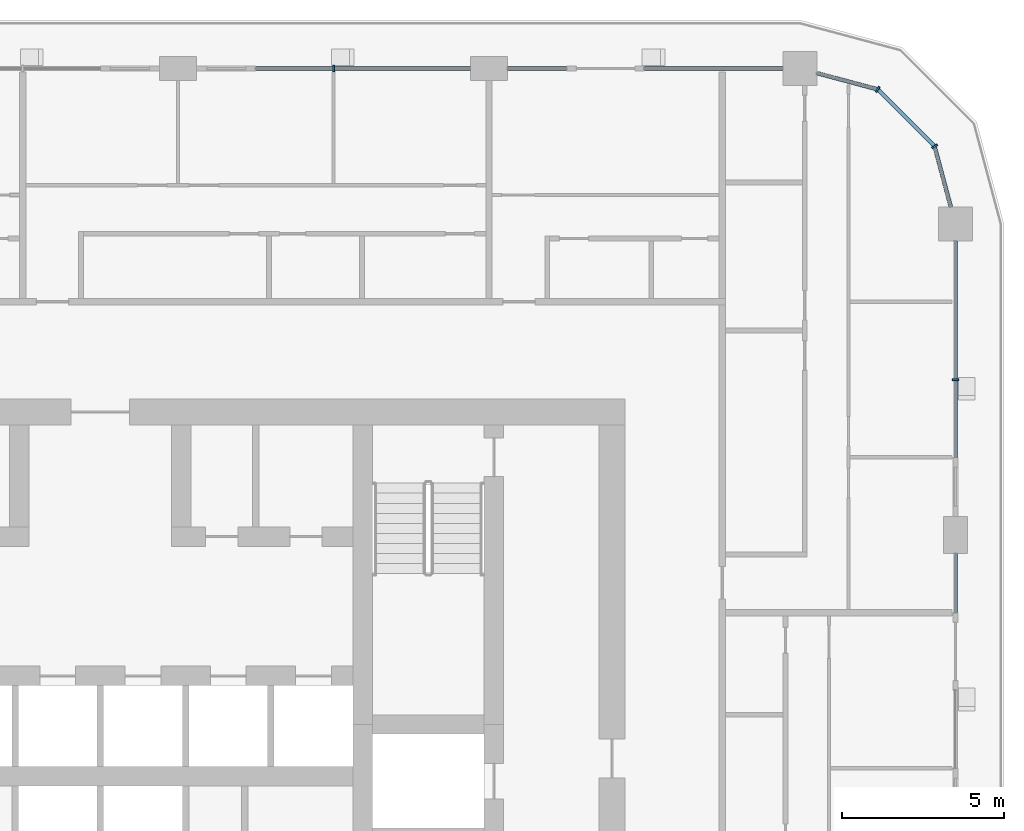
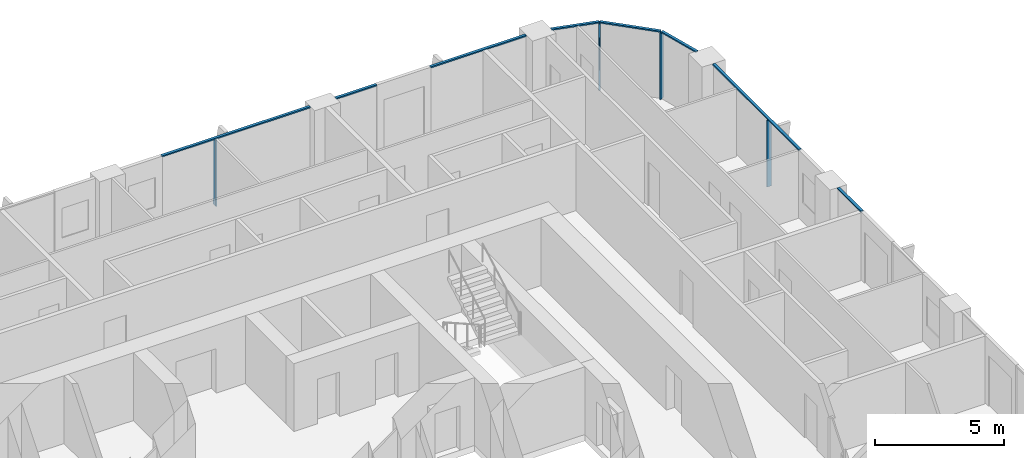
# One storey, part 6 of 22: 12 members, 5 elements without a shape of their own.
"""IFC4 building model written with IfcOpenShell, lengths in metres."""

from ifc_helpers import new_model, si_unit, direction, frame, origin, origin_2d, place, context, subcontext, project, spatial, rectangle, extrude, material, layer, layer_set, material_profile, profile_set, type_object, element, aggregate, save


model = new_model("IFC4")

# Units and contexts
model_context = context("Model", 3, precision=1e-05, world=origin(), true_north=direction((0.0, 1.0)))
body_context = subcontext(model_context, "Body", "Model", "MODEL_VIEW")
ifc_project = project(units=[si_unit("LENGTHUNIT", "METRE"), si_unit("AREAUNIT", "SQUARE_METRE"), si_unit("VOLUMEUNIT", "CUBIC_METRE"), si_unit("PLANEANGLEUNIT", "RADIAN"), si_unit("MASSUNIT", "GRAM", prefix="KILO")], contexts=[model_context])

# Site, building, storey
site_placement = place(None, origin())
site = spatial("IfcSite", under=ifc_project, at=site_placement, CompositionType="ELEMENT")
building_placement = place(site_placement, origin())
building = spatial("IfcBuilding", under=site, at=building_placement, Name="Madar Terraces", CompositionType="ELEMENT")
storey_placement = place(building_placement, frame((0.0, 0.0, 166.5)))
storey = spatial("IfcBuildingStorey", under=building, at=storey_placement, Name="L43", CompositionType="ELEMENT", Elevation=166.5)

# Curtain wall, member
ifc_material_1 = material(Name="Glass, ceramic frit dark grey, with black aluminium frame", Category="aluminium")
ifc_layer = layer(ifc_material_1, 0.199951171875)
ifc_layer_set = layer_set([ifc_layer], Name="Facade curtain wall, fritted glass")
curtain_wall_type = type_object("IfcCurtainWallType", Name="Facade curtain wall, fritted glass", PredefinedType="NOTDEFINED", material=ifc_layer_set)
curtain_wall_1_placement = place(storey_placement, origin())
curtain_wall_1 = element("IfcCurtainWall", 1, at=curtain_wall_1_placement, inside=storey, type_object=curtain_wall_type, Name="Outer skin curtain wall east bay 4", PredefinedType="NOTDEFINED")
ifc_material_2 = material(Name="Aluminium, black anodised", Category="aluminium")
ifc_material_profile_1 = material_profile(ifc_material_2, rectangle(XDim=0.199951171875, YDim=0.06005859375, at=origin_2d()), Name="Facade mullion 60x200")
ifc_profile_set_1 = profile_set([ifc_material_profile_1], Name="Aluminium, black anodised")
member_type_1 = type_object("IfcMemberType", Name="Facade mullion 60x200", PredefinedType="MULLION", material=ifc_profile_set_1)
member_1_placement = place(storey_placement, frame((57.60009765625, 38.39990234375, 0.0), z_axis=(0.0, 0.0, 1.0), x_axis=(-1.0, 0.0, 0.0)))
member_1 = element("IfcMember", 2, at=member_1_placement, type_object=member_type_1, Name="Mullion 1", PredefinedType="MULLION", context=body_context, shape_type="SweptSolid", body=[
    extrude(rectangle(XDim=0.199951171875, YDim=0.06005859375, at=origin_2d()), origin(), (0.0, 0.0, 1.0), 3.139892578125),
])

curtain_wall_2_placement = place(storey_placement, origin())
curtain_wall_2 = element("IfcCurtainWall", 3, at=curtain_wall_2_placement, inside=storey, type_object=curtain_wall_type, Name="Outer skin curtain wall north bay 2", PredefinedType="NOTDEFINED")
member_2_placement = place(storey_placement, frame((38.39990234375, 48.0, 0.0), z_axis=(0.0, 0.0, 1.0), x_axis=(0.0, -1.0, 0.0)))
member_2 = element("IfcMember", 4, at=member_2_placement, type_object=member_type_1, Name="Mullion 1", PredefinedType="MULLION", context=body_context, shape_type="SweptSolid", body=[
    extrude(rectangle(XDim=0.199951171875, YDim=0.06005859375, at=origin_2d()), origin(), (0.0, 0.0, 1.0), 3.139892578125),
])

# Curtain wall, members
curtain_wall_3_placement = place(storey_placement, origin())
curtain_wall_3 = element("IfcCurtainWall", 5, at=curtain_wall_3_placement, inside=storey, type_object=curtain_wall_type, Name="Outer skin curtain wall north-east corner", PredefinedType="NOTDEFINED")
member_3_placement = place(storey_placement, frame((56.95703125, 45.60009765625, 0.0), z_axis=(0.0, 0.0, 1.0), x_axis=(-0.866025409797, -0.499999989586, 0.0)))
member_3 = element("IfcMember", 6, at=member_3_placement, type_object=member_type_1, Name="Mullion 1", PredefinedType="MULLION", context=body_context, shape_type="SweptSolid", body=[
    extrude(rectangle(XDim=0.199951171875, YDim=0.06005859375, at=origin_2d()), origin(), (0.0, 0.0, 1.0), 3.139892578125),
])
member_4_placement = place(storey_placement, frame((55.199951171875, 47.35693359375, 0.0), z_axis=(0.0, 0.0, 1.0), x_axis=(-0.499999989586, -0.866025409797, 0.0)))
member_4 = element("IfcMember", 7, at=member_4_placement, type_object=member_type_1, Name="Mullion 2", PredefinedType="MULLION", context=body_context, shape_type="SweptSolid", body=[
    extrude(rectangle(XDim=0.199951171875, YDim=0.06005859375, at=origin_2d()), origin(), (0.0, 0.0, 1.0), 3.139892578125),
])

# Curtain wall, member
curtain_wall_4_placement = place(storey_placement, origin())
curtain_wall_4 = element("IfcCurtainWall", 8, at=curtain_wall_4_placement, inside=storey, type_object=curtain_wall_type, Name="Outer skin curtain wall east bay 3", PredefinedType="NOTDEFINED")
ifc_material_3 = material(Name="Aluminium, black anodised", Category="aluminium")
ifc_material_profile_2 = material_profile(ifc_material_3, rectangle(XDim=0.1201171875, YDim=0.06005859375, at=origin_2d()), Name="Facade transom 60x120")
ifc_profile_set_2 = profile_set([ifc_material_profile_2], Name="Aluminium, black anodised")
member_type_2 = type_object("IfcMemberType", Name="Facade transom 60x120", PredefinedType="USERDEFINED", material=ifc_profile_set_2)
member_5_placement = place(storey_placement, frame((57.60009765625, 31.199951171875, 3.169921875), z_axis=(0.0, 1.0, 0.0), x_axis=(-1.0, 0.0, 0.0)))
member_5 = element("IfcMember", 9, at=member_5_placement, type_object=member_type_2, Name="Transom 2", ObjectType="TRANSOM", PredefinedType="USERDEFINED", context=body_context, shape_type="SweptSolid", body=[
    extrude(rectangle(XDim=0.1201171875, YDim=0.06005859375, at=origin_2d()), origin(), (0.0, 0.0, 1.0), 1.824951171875),
])
aggregate(curtain_wall_4, [member_5])

# Member
member_6_placement = place(storey_placement, frame((57.60009765625, 36.0, 3.169921875), z_axis=(0.0, 1.0, 0.0), x_axis=(-1.0, 0.0, 0.0)))
member_6 = element("IfcMember", 10, at=member_6_placement, type_object=member_type_2, Name="Transom 1", ObjectType="TRANSOM", PredefinedType="USERDEFINED", context=body_context, shape_type="SweptSolid", body=[
    extrude(rectangle(XDim=0.1201171875, YDim=0.06005859375, at=origin_2d()), origin(), (0.0, 0.0, 1.0), 6.675048828125),
])

aggregate(curtain_wall_1, [member_1, member_6])

# Curtain wall, members
curtain_wall_5_placement = place(storey_placement, origin())
curtain_wall_5 = element("IfcCurtainWall", 11, at=curtain_wall_5_placement, inside=storey, type_object=curtain_wall_type, Name="Outer skin curtain wall north bay 1", PredefinedType="NOTDEFINED")
member_7_placement = place(storey_placement, frame((52.27490234375, 48.0, 3.169921875), z_axis=(-1.0, 0.0, 0.0), x_axis=(0.0, -1.0, 0.0)))
member_7 = element("IfcMember", 12, at=member_7_placement, type_object=member_type_2, Name="Transom 1", ObjectType="TRANSOM", PredefinedType="USERDEFINED", context=body_context, shape_type="SweptSolid", body=[
    extrude(rectangle(XDim=0.1201171875, YDim=0.06005859375, at=origin_2d()), origin(), (0.0, 0.0, 1.0), 4.27490234375),
])
member_8_placement = place(storey_placement, frame((45.60009765625, 48.0, 3.169921875), z_axis=(-1.0, 0.0, 0.0), x_axis=(0.0, -1.0, 0.0)))
member_8 = element("IfcMember", 13, at=member_8_placement, type_object=member_type_2, Name="Transom 2", ObjectType="TRANSOM", PredefinedType="USERDEFINED", context=body_context, shape_type="SweptSolid", body=[
    extrude(rectangle(XDim=0.1201171875, YDim=0.06005859375, at=origin_2d()), origin(), (0.0, 0.0, 1.0), 1.8251953125),
])
aggregate(curtain_wall_5, [member_7, member_8])

# Member
member_9_placement = place(storey_placement, frame((42.625, 48.0, 3.169921875), z_axis=(-1.0, 0.0, 0.0), x_axis=(0.0, -1.0, 0.0)))
member_9 = element("IfcMember", 14, at=member_9_placement, type_object=member_type_2, Name="Transom 1", ObjectType="TRANSOM", PredefinedType="USERDEFINED", context=body_context, shape_type="SweptSolid", body=[
    extrude(rectangle(XDim=0.1201171875, YDim=0.06005859375, at=origin_2d()), origin(), (0.0, 0.0, 1.0), 6.625),
])

aggregate(curtain_wall_2, [member_2, member_9])

member_10_placement = place(storey_placement, frame((57.459228515625, 43.72509765625, 3.169921875), z_axis=(-0.258823354654, 0.965924671538, 0.0), x_axis=(-0.965924671538, -0.258823354654, 0.0)))
member_10 = element("IfcMember", 15, at=member_10_placement, type_object=member_type_2, Name="Transom 1", ObjectType="TRANSOM", PredefinedType="USERDEFINED", context=body_context, shape_type="SweptSolid", body=[
    extrude(rectangle(XDim=0.1201171875, YDim=0.06005859375, at=origin_2d()), origin(), (0.0, 0.0, 1.0), 1.9111328125),
])

member_11_placement = place(storey_placement, frame((56.935791015625, 45.62109375, 3.169921875), z_axis=(-0.707106781187, 0.707106781187, 0.0), x_axis=(-0.707106781187, -0.707106781187, 0.0)))
member_11 = element("IfcMember", 16, at=member_11_placement, type_object=member_type_2, Name="Transom 2", ObjectType="TRANSOM", PredefinedType="USERDEFINED", context=body_context, shape_type="SweptSolid", body=[
    extrude(rectangle(XDim=0.1201171875, YDim=0.06005859375, at=origin_2d()), origin(), (0.0, 0.0, 1.0), 2.4248046875),
])

member_12_placement = place(storey_placement, frame((55.171142578125, 47.36474609375, 3.169921875), z_axis=(-0.965933227928, 0.25879142023, 0.0), x_axis=(-0.25879142023, -0.965933227928, 0.0)))
member_12 = element("IfcMember", 17, at=member_12_placement, type_object=member_type_2, Name="Transom 3", ObjectType="TRANSOM", PredefinedType="USERDEFINED", context=body_context, shape_type="SweptSolid", body=[
    extrude(rectangle(XDim=0.1201171875, YDim=0.06005859375, at=origin_2d()), origin(), (0.0, 0.0, 1.0), 1.911376953125),
])

aggregate(curtain_wall_3, [member_3, member_10, member_4, member_11, member_12])

save(model, "model.ifc")
